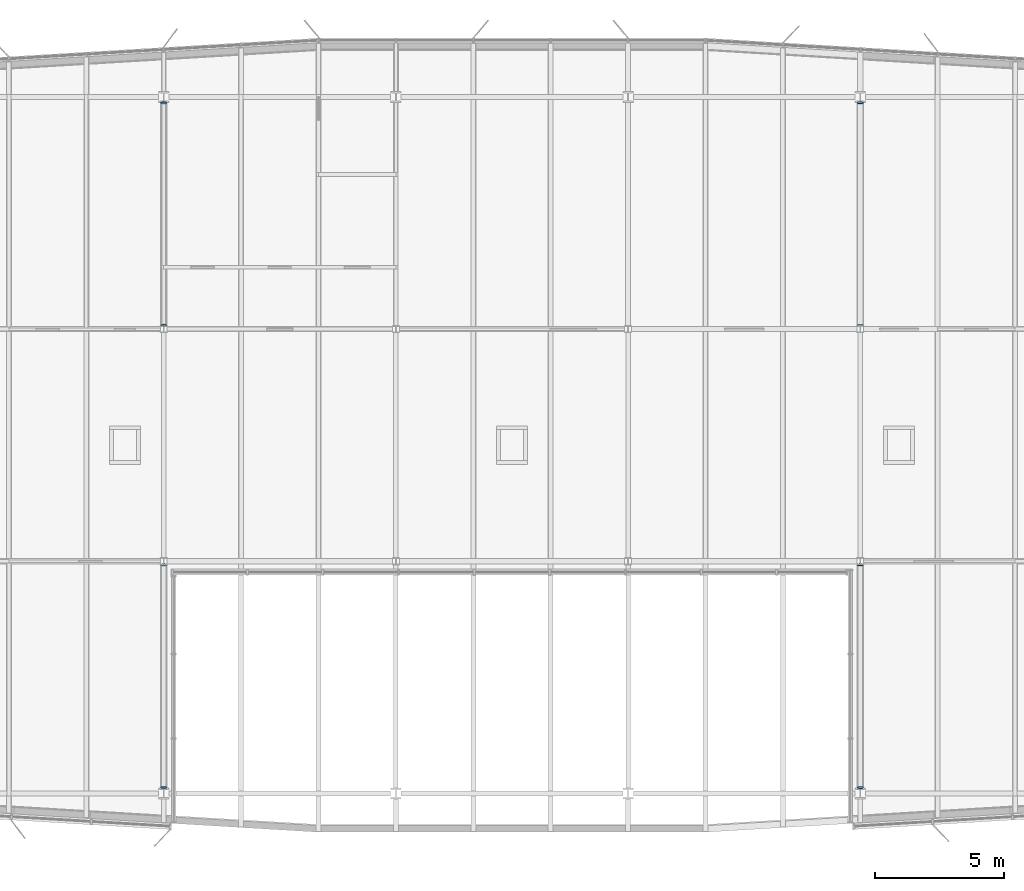
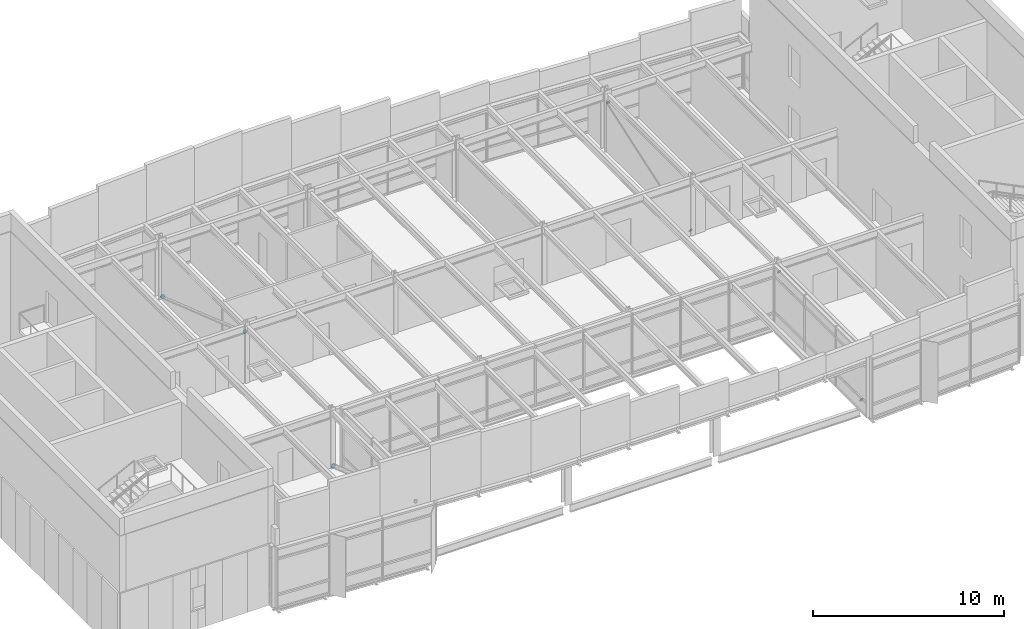
# One storey, part 21 of 23: 8 discrete accessories.
"""IFC4 building model written with IfcOpenShell, lengths in metres."""

import ifcopenshell
import ifcopenshell.guid

model = None  # the IFC model being written
_history = None  # IfcOwnerHistory: only IFC2X3 demands one
_inside = {}  # id of a spatial element -> (the spatial element, [elements in it])
_under = {}  # id of a project, library or spatial element -> (it, [spatial elements below it])
_declared = {}  # id of a project -> (the project, [libraries it declares])
_typed = {}  # id of a type object -> (the type object, [elements of that type])
_made_of = {}  # id of a material, layer set ... -> (it, [elements and type objects made of it])


def new_model(schema):
    """Start an empty IFC model of exactly this schema.

    Asked for "IFC4X3", IfcOpenShell would pick the latest addendum, in which some entities
    have other attributes; the version numbers below select the first issue.
    IFC2X3 requires an IfcOwnerHistory on every rooted entity: one is made here for all.
    """
    global model, _history
    if schema == "IFC4X3":
        model = ifcopenshell.file(schema_version=(4, 3, 0, 0))
    else:
        model = ifcopenshell.file(schema=schema)
    _inside.clear()
    _under.clear()
    _declared.clear()
    _typed.clear()
    _made_of.clear()
    _history = None
    if model.schema == "IFC2X3":
        org = make("IfcOrganization", Name="unknown")
        user = make(
            "IfcPersonAndOrganization",
            ThePerson=make("IfcPerson", FamilyName="unknown"),
            TheOrganization=org,
        )
        app = make(
            "IfcApplication",
            ApplicationDeveloper=org,
            Version="unknown",
            ApplicationFullName="unknown",
            ApplicationIdentifier="unknown",
        )
        _history = make(
            "IfcOwnerHistory",
            OwningUser=user,
            OwningApplication=app,
            ChangeAction="ADDED",
            CreationDate=0,
        )
    return model


def make(cls, **values):
    """One entity of the class cls with the attributes given. An attribute that is None is left unset."""
    return model.create_entity(
        cls, **{name: value for name, value in values.items() if value is not None}
    )


def rooted(cls, **values):
    """An entity with a GlobalId (a new one), such as an element, a storey or a relation."""
    return make(cls, GlobalId=ifcopenshell.guid.new(), OwnerHistory=_history, **values)


def si_unit(unit_type, name, prefix=None):
    """IfcSIUnit, for example si_unit("LENGTHUNIT", "METRE", prefix="MILLI")."""
    return make("IfcSIUnit", UnitType=unit_type, Prefix=prefix, Name=name)


def assignment(units):
    """IfcUnitAssignment: the units of a project."""
    return None if units is None else make("IfcUnitAssignment", Units=units)


def point(xyz):
    """IfcCartesianPoint."""
    return None if xyz is None else make("IfcCartesianPoint", Coordinates=xyz)


def direction(xyz):
    """IfcDirection."""
    return None if xyz is None else make("IfcDirection", DirectionRatios=xyz)


def frame(location, z_axis=None, x_axis=None):
    """IfcAxis2Placement3D, a coordinate frame: its origin and axes. An axis left out is left unset."""
    return make(
        "IfcAxis2Placement3D",
        Location=point(location),
        Axis=direction(z_axis),
        RefDirection=direction(x_axis),
    )


def frame_2d(location, x_axis=None):
    """IfcAxis2Placement2D, a coordinate frame in the plane: its origin and x axis."""
    return make(
        "IfcAxis2Placement2D", Location=point(location), RefDirection=direction(x_axis)
    )


def origin():
    """The frame at (0, 0, 0) with its axes left unset."""
    return frame((0.0, 0.0, 0.0))


def origin_2d():
    """The frame at (0, 0) in the plane with its x axis left unset."""
    return frame_2d((0.0, 0.0))


def place(relative_to, where):
    """IfcLocalPlacement: puts the frame where relative to a parent placement (None: the world)."""
    return make(
        "IfcLocalPlacement", PlacementRelTo=relative_to, RelativePlacement=where
    )


def context(
    kind, dimensions, precision=None, world=None, true_north=None, identifier=None
):
    """IfcGeometricRepresentationContext, for example the 3D "Model" context."""
    return make(
        "IfcGeometricRepresentationContext",
        ContextIdentifier=identifier,
        ContextType=kind,
        CoordinateSpaceDimension=dimensions,
        Precision=precision,
        WorldCoordinateSystem=world,
        TrueNorth=true_north,
    )


def subcontext(parent, identifier, kind, view, scale=None):
    """IfcGeometricRepresentationSubContext, for example "Body" below "Model"."""
    return make(
        "IfcGeometricRepresentationSubContext",
        ContextIdentifier=identifier,
        ContextType=kind,
        ParentContext=parent,
        TargetScale=scale,
        TargetView=view,
    )


def project(units=None, contexts=None):
    """IfcProject with its units and contexts."""
    return rooted(
        "IfcProject",
        Name="project",
        RepresentationContexts=contexts,
        UnitsInContext=assignment(units),
    )


def spatial(cls, under=None, at=None, **own):
    """A site, building, storey or space (cls), placed at a placement, below another one or the project."""
    s = rooted(cls, ObjectPlacement=at, **own)
    if under is not None:
        _under.setdefault(under.id(), (under, []))[1].append(s)
    return s


def profile(cls, at=None, kind="AREA", **sizes):
    """A parametric profile (cls). Its sizes go by their IFC names, for example OverallWidth=200.0."""
    return make(cls, ProfileType=kind, Position=at, **sizes)


def circle(**sizes):
    """IfcCircleProfileDef."""
    return profile("IfcCircleProfileDef", **sizes)


def extrude(swept, where, along, depth):
    """IfcExtrudedAreaSolid: the profile swept, set in the frame where, extruded along a direction by depth."""
    return make(
        "IfcExtrudedAreaSolid",
        SweptArea=swept,
        Position=where,
        ExtrudedDirection=direction(along),
        Depth=depth,
    )


def shape(context_of_items, identifier, shape_type, items):
    """IfcShapeRepresentation: the items that make up one representation, for example the "Body"."""
    return make(
        "IfcShapeRepresentation",
        ContextOfItems=context_of_items,
        RepresentationIdentifier=identifier,
        RepresentationType=shape_type,
        Items=items,
    )


def material(Name=None, Category=None):
    """IfcMaterial."""
    return make("IfcMaterial", Name=Name, Category=Category)


def material_profile(
    of_material, cross_section, Name=None, Category=None, Priority=None
):
    """IfcMaterialProfile: a cross section and its material."""
    return make(
        "IfcMaterialProfile",
        Name=Name,
        Material=of_material,
        Profile=cross_section,
        Priority=Priority,
        Category=Category,
    )


def profile_set(profiles, Name=None, composite=None):
    """IfcMaterialProfileSet."""
    return make(
        "IfcMaterialProfileSet",
        Name=Name,
        MaterialProfiles=profiles,
        CompositeProfile=composite,
    )


def made_of(thing, what):
    """Note that an element or type object is made of a material, layer set ...; save() writes the relation."""
    if what is not None:
        _made_of.setdefault(what.id(), (what, []))[1].append(thing)
    return thing


def type_object(cls, material=None, **own):
    """A type object (cls), such as IfcWallType, which elements share."""
    return made_of(rooted(cls, **own), material)


def element(
    cls,
    number,
    at=None,
    inside=None,
    cuts=None,
    type_object=None,
    material=None,
    context=None,
    identifier="Body",
    shape_type=None,
    held_by="IfcProductDefinitionShape",
    body=None,
    shapes=None,
    **own,
):
    """One element of the class cls, such as IfcWall. Its Tag is "e" and its number.

    at: its placement. inside: the storey or other place that contains it. cuts: it is an
    opening in that element (IfcRelVoidsElement). A single representation is given by context,
    identifier, shape_type and body (its items); several are given by shapes. held_by: the class
    of the entity that holds the representations. save() writes the other relations.
    """
    e = rooted(cls, Tag="e%d" % number, ObjectPlacement=at, **own)
    if body is not None:
        shapes = [shape(context, identifier, shape_type, body)]
    if shapes is not None:
        e.Representation = make(held_by, Representations=shapes)
    if inside is not None:
        _inside.setdefault(inside.id(), (inside, []))[1].append(e)
    if cuts is not None:
        rooted(
            "IfcRelVoidsElement", RelatingBuildingElement=cuts, RelatedOpeningElement=e
        )
    if type_object is not None:
        _typed.setdefault(type_object.id(), (type_object, []))[1].append(e)
    return made_of(e, material)


def aggregate(whole, parts):
    """IfcRelAggregates: a whole, such as a stair, and the parts it consists of."""
    return rooted("IfcRelAggregates", RelatingObject=whole, RelatedObjects=parts)


def save(model, path):
    """Write the relations noted so far, then the file.

    IfcRelAggregates (storeys below a building ...), IfcRelContainedInSpatialStructure (elements
    in a storey), IfcRelDefinesByType, IfcRelAssociatesMaterial and IfcRelDeclares: one each for
    every whole, place, type object, material and project.
    """
    for whole, parts in _under.values():
        aggregate(whole, parts)
    for where, things in _inside.values():
        rooted(
            "IfcRelContainedInSpatialStructure",
            RelatedElements=things,
            RelatingStructure=where,
        )
    for kind, things in _typed.values():
        rooted("IfcRelDefinesByType", RelatedObjects=things, RelatingType=kind)
    for what, things in _made_of.values():
        rooted("IfcRelAssociatesMaterial", RelatedObjects=things, RelatingMaterial=what)
    for by, libraries in _declared.values():
        rooted("IfcRelDeclares", RelatingContext=by, RelatedDefinitions=libraries)
    model.write(path)


model = new_model("IFC4")

# Units and contexts
model_context = context("Model", 3, precision=1e-05, world=origin(), true_north=direction((0.0, 1.0)))
body_context = subcontext(model_context, "Body", "Model", "MODEL_VIEW")
ifc_project = project(units=[si_unit("LENGTHUNIT", "METRE"), si_unit("AREAUNIT", "SQUARE_METRE"), si_unit("VOLUMEUNIT", "CUBIC_METRE"), si_unit("PLANEANGLEUNIT", "RADIAN"), si_unit("MASSUNIT", "GRAM", prefix="KILO")], contexts=[model_context])

# Site, building, storey
site_placement = place(None, origin())
site = spatial("IfcSite", under=ifc_project, at=site_placement, CompositionType="ELEMENT")
building_placement = place(site_placement, origin())
building = spatial("IfcBuilding", under=site, at=building_placement, Name="Azimuth Sports and Learning Centre", CompositionType="ELEMENT")
storey_placement = place(building_placement, frame((0.0, 0.0, 75.300048828125)))
storey = spatial("IfcBuildingStorey", under=building, at=storey_placement, Name="L17", CompositionType="ELEMENT", Elevation=75.300048828125)

# Discrete accessories
ifc_material = material(Name="Steel S355", Category="steel")
ifc_material_profile = material_profile(ifc_material, circle(Radius=0.122314453125, at=origin_2d()), Name="PL 244 DISC")
ifc_profile_set = profile_set([ifc_material_profile], Name="Steel S355")
discrete_accessory_type = type_object("IfcDiscreteAccessoryType", Name="End plate CHS 244.5x12.5", PredefinedType="USERDEFINED", material=ifc_profile_set)
discrete_accessory_1_placement = place(storey_placement, frame((72.0, 98.850341796875, 0.1689453125), z_axis=(0.0, 0.94744566755, -0.319916718913), x_axis=(-1.0, 0.0, 0.0)))
element("IfcDiscreteAccessory", 1, at=discrete_accessory_1_placement, inside=storey, type_object=discrete_accessory_type, Name="End plate Tower brace 9 L17 lower end", ObjectType="END PLATE", PredefinedType="USERDEFINED", context=body_context, shape_type="SweptSolid", body=[
    extrude(circle(Radius=0.122314453125, at=origin_2d()), origin(), (0.0, 0.0, 1.0), 0.019775390625),
])
discrete_accessory_2_placement = place(storey_placement, frame((72.0, 90.2373046875, 3.130859375), z_axis=(0.0, -0.94498607344, 0.327110563883), x_axis=(1.0, 0.0, 0.0)))
element("IfcDiscreteAccessory", 2, at=discrete_accessory_2_placement, inside=storey, type_object=discrete_accessory_type, Name="End plate Tower brace 9 L17 upper end", ObjectType="END PLATE", PredefinedType="USERDEFINED", context=body_context, shape_type="SweptSolid", body=[
    extrude(circle(Radius=0.122314453125, at=origin_2d()), origin(), (0.0, 0.0, 1.0), 0.020263671875),
])
for number, where, z_axis, x_axis, name in (
    (3, (72.0, 116.7626953125, 0.1689453125), (0.0, 0.948683298051, -0.316227766017), (-1.0, 0.0, 0.0), "End plate Tower brace 9 L17 lower end"),
    (4, (72.0, 108.149658203125, 3.130859375), (0.0, -0.943667134088, 0.330896267797), (1.0, 0.0, 0.0), "End plate Tower brace 9 L17 upper end"),
    (5, (99.0, 90.2373046875, 0.1689453125), (0.0, -0.948683298051, -0.316227766017), (1.0, 0.0, 0.0), "End plate Tower brace 12 L17 lower end"),
    (6, (99.0, 98.850341796875, 3.130859375), (0.0, 0.943667134088, 0.330896267797), (-1.0, 0.0, 0.0), "End plate Tower brace 12 L17 upper end"),
):
    element("IfcDiscreteAccessory", number, at=place(storey_placement, frame(where, z_axis=z_axis, x_axis=x_axis)), inside=storey, type_object=discrete_accessory_type, Name=name, ObjectType="END PLATE", PredefinedType="USERDEFINED", context=body_context, shape_type="SweptSolid", body=[
        extrude(circle(Radius=0.122314453125, at=origin_2d()), origin(), (0.0, 0.0, 1.0), 0.02001953125),
    ])
discrete_accessory_3_placement = place(storey_placement, frame((99.0, 108.149658203125, 0.1689453125), z_axis=(0.0, -0.94744566755, -0.319916718913), x_axis=(1.0, 0.0, 0.0)))
element("IfcDiscreteAccessory", 7, at=discrete_accessory_3_placement, inside=storey, type_object=discrete_accessory_type, Name="End plate Tower brace 12 L17 lower end", ObjectType="END PLATE", PredefinedType="USERDEFINED", context=body_context, shape_type="SweptSolid", body=[
    extrude(circle(Radius=0.122314453125, at=origin_2d()), origin(), (0.0, 0.0, 1.0), 0.019775390625),
])
discrete_accessory_4_placement = place(storey_placement, frame((99.0, 116.7626953125, 3.130859375), z_axis=(0.0, 0.94498607344, 0.327110563883), x_axis=(-1.0, 0.0, 0.0)))
element("IfcDiscreteAccessory", 8, at=discrete_accessory_4_placement, inside=storey, type_object=discrete_accessory_type, Name="End plate Tower brace 12 L17 upper end", ObjectType="END PLATE", PredefinedType="USERDEFINED", context=body_context, shape_type="SweptSolid", body=[
    extrude(circle(Radius=0.122314453125, at=origin_2d()), origin(), (0.0, 0.0, 1.0), 0.020263671875),
])

save(model, "model.ifc")
